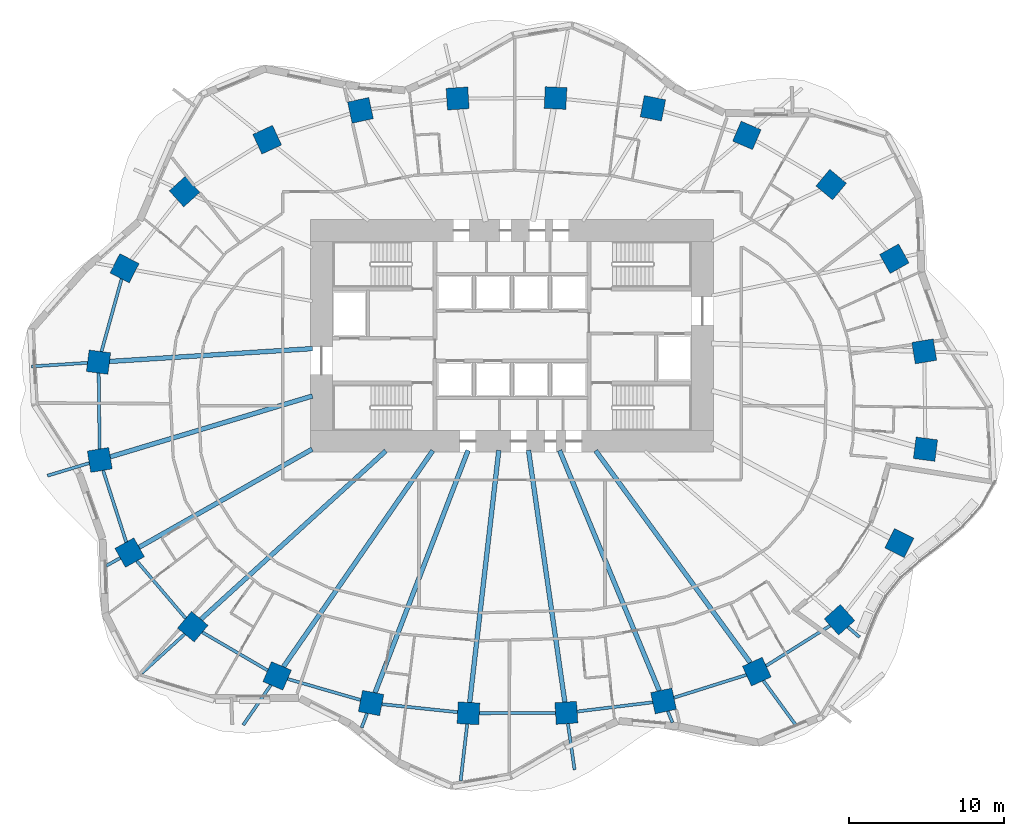
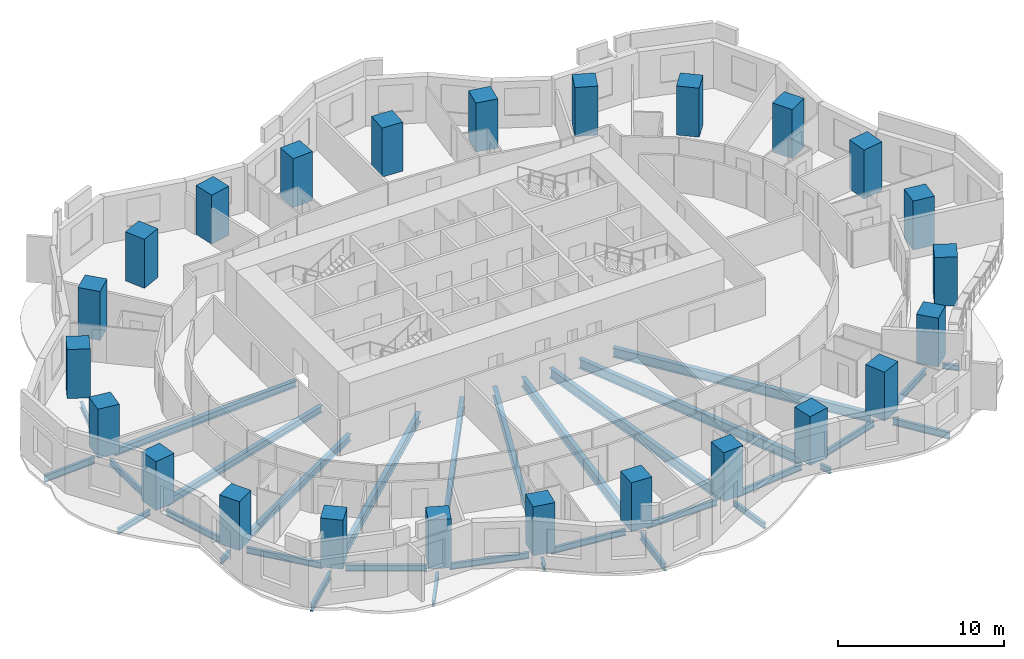
# One storey, part 1 of 14: 32 beams, 24 columns.
"""IFC4 building model written with IfcOpenShell, lengths in metres."""

from ifc_helpers import new_model, si_unit, direction, frame, origin, origin_2d, place, context, subcontext, project, spatial, rectangle, i_section, extrude, material, material_profile, profile_set, type_object, element, save


model = new_model("IFC4")

# Units and contexts
model_context = context("Model", 3, precision=1e-05, world=origin(), true_north=direction((0.0, 1.0)))
body_context = subcontext(model_context, "Body", "Model", "MODEL_VIEW")
ifc_project = project(units=[si_unit("LENGTHUNIT", "METRE"), si_unit("AREAUNIT", "SQUARE_METRE"), si_unit("VOLUMEUNIT", "CUBIC_METRE"), si_unit("PLANEANGLEUNIT", "RADIAN"), si_unit("MASSUNIT", "GRAM", prefix="KILO")], contexts=[model_context])

# Site, building, storey
site_placement = place(None, origin())
site = spatial("IfcSite", under=ifc_project, at=site_placement, CompositionType="ELEMENT")
building_placement = place(site_placement, origin())
building = spatial("IfcBuilding", under=site, at=building_placement, Name="Rubra Terraces Tower", CompositionType="ELEMENT")
storey_placement = place(building_placement, frame((0.0, 0.0, 62.699951171875)))
storey = spatial("IfcBuildingStorey", under=building, at=storey_placement, Name="L13", CompositionType="ELEMENT", Elevation=62.699951171875)

# Columns
ifc_material_1 = material(Name="Concrete C60", Category="concrete")
ifc_material_profile_1 = material_profile(ifc_material_1, rectangle(XDim=1.39990234375, YDim=1.39990234375, at=origin_2d()), Name="RC 1400x1400")
ifc_profile_set_1 = profile_set([ifc_material_profile_1], Name="Concrete C60")
column_type = type_object("IfcColumnType", Name="RING COLUMN RC 1400x1400 C60", PredefinedType="COLUMN", material=ifc_profile_set_1)
for number, where, z_axis, x_axis, name in (
    (1, (26.60498046875, 3.5029296875, 0.0), (0.0, 0.0, 1.0), (-0.161234051287, 0.986916197408, 0.0), "column-L13-ring-01"),
    (2, (24.676025390625, 9.48291015625, 0.0), (0.0, 0.0, 1.0), (-0.487226597714, 0.873275582208, 0.0), "column-L13-ring-02"),
    (3, (20.60009765625, 14.26611328125, 0.0), (0.0, 0.0, 1.0), (-0.767209547574, 0.641396531104, 0.0), "column-L13-ring-03"),
    (4, (15.156982421875, 17.44091796875, 0.0), (0.0, 0.0, 1.0), (-0.919293738002, 0.393572132232, 0.0), "column-L13-ring-04"),
    (5, (9.093994140625, 19.19189453125, 0.0), (0.0, 0.0, 1.0), (-0.981430410798, 0.191818530806, 0.0), "column-L13-ring-05"),
    (6, (2.81103515625, 19.85400390625, 0.0), (0.0, 0.0, 1.0), (-0.99874501614, 0.050083857035, 0.0), "column-L13-ring-06"),
    (7, (-3.509033203125, 19.823974609375, 0.0), (0.0, 0.0, 1.0), (-0.9980076013, -0.063093801177, 0.0), "column-L13-ring-07"),
    (8, (-9.780029296875, 19.05810546875, 0.0), (0.0, 0.0, 1.0), (-0.977386186482, -0.211462153764, 0.0), "column-L13-ring-08"),
    (9, (-15.799072265625, 17.1650390625, 0.0), (0.0, 0.0, 1.0), (-0.907952363445, -0.419073389413, 0.0), "column-L13-ring-09"),
    (10, (-21.135009765625, 13.81689453125, 0.0), (0.0, 0.0, 1.0), (-0.742675944539, -0.66965098477, 0.0), "column-L13-ring-10"),
    (11, (-25.0029296875, 8.865966796875, 0.0), (0.0, 0.0, 1.0), (-0.450098906028, -0.892978709036, 0.0), "column-L13-ring-11"),
    (12, (-26.68408203125, 2.80810546875, 0.0), (0.0, 0.0, 1.0), (-0.128444510405, -0.991716697322, 0.0), "column-L13-ring-12"),
    (13, (-26.60498046875, -3.5029296875, 0.0), (0.0, 0.0, 1.0), (0.161234051287, -0.986916197408, 0.0), "column-L13-ring-13"),
    (14, (-24.676025390625, -9.48291015625, 0.0), (0.0, 0.0, 1.0), (0.487226597714, -0.873275582208, 0.0), "column-L13-ring-14"),
    (15, (-20.60009765625, -14.26611328125, 0.0), (0.0, 0.0, 1.0), (0.767209547574, -0.641396531104, 0.0), "column-L13-ring-15"),
    (16, (-15.156982421875, -17.44091796875, 0.0), (0.0, 0.0, 1.0), (0.919293738002, -0.393572132232, 0.0), "column-L13-ring-16"),
    (17, (-9.093994140625, -19.19189453125, 0.0), (0.0, 0.0, 1.0), (0.981430410798, -0.191818530806, 0.0), "column-L13-ring-17"),
    (18, (-2.81103515625, -19.85400390625, 0.0), (0.0, 0.0, 1.0), (0.99874501614, -0.050083857035, 0.0), "column-L13-ring-18"),
    (19, (3.509033203125, -19.823974609375, 0.0), (0.0, 0.0, 1.0), (0.9980076013, 0.063093801177, 0.0), "column-L13-ring-19"),
    (20, (9.780029296875, -19.05810546875, 0.0), (0.0, 0.0, 1.0), (0.977386186482, 0.211462153764, 0.0), "column-L13-ring-20"),
    (21, (15.799072265625, -17.1650390625, 0.0), (0.0, 0.0, 1.0), (0.907952363445, 0.419073389413, 0.0), "column-L13-ring-21"),
    (22, (21.135009765625, -13.81689453125, 0.0), (0.0, 0.0, 1.0), (0.742675944539, 0.66965098477, 0.0), "column-L13-ring-22"),
    (23, (25.0029296875, -8.865966796875, 0.0), (0.0, 0.0, 1.0), (0.450098906028, 0.892978709036, 0.0), "column-L13-ring-23"),
    (24, (26.68408203125, -2.80810546875, 0.0), (0.0, 0.0, 1.0), (0.128444510405, 0.991716697322, 0.0), "column-L13-ring-24"),
):
    element("IfcColumn", number, at=place(storey_placement, frame(where, z_axis=z_axis, x_axis=x_axis)), inside=storey, type_object=column_type, Name=name, PredefinedType="COLUMN", context=body_context, shape_type="SweptSolid", body=[
        extrude(rectangle(XDim=1.39990234375, YDim=1.39990234375, at=origin_2d()), origin(), (0.0, 0.0, 1.0), 3.60009765625),
    ])

# Beams
ifc_material_2 = material(Name="Steel Q355B", Category="steel")
ifc_material_profile_2 = material_profile(ifc_material_2, i_section(OverallWidth=0.199951171875, OverallDepth=0.39990234375, WebThickness=0.008056640625, FlangeThickness=0.012939453125, at=origin_2d()), Name="HN 400x200x8x13")
ifc_profile_set_2 = profile_set([ifc_material_profile_2], Name="Steel Q355B")
beam_type_1 = type_object("IfcBeamType", Name="CANTILEVER BEAM HN 400x200x8x13", PredefinedType="BEAM", material=ifc_profile_set_2)
beam_1_placement = place(storey_placement, frame((-27.281005859375, -3.7060546875, -0.39990234375), z_axis=(-0.95758002383, -0.288167482486, 0.0), x_axis=(0.288167482486, -0.95758002383, 0.0)))
element("IfcBeam", 25, at=beam_1_placement, inside=storey, type_object=beam_type_1, Name="beam-L13-cant-13", PredefinedType="BEAM", context=body_context, shape_type="SweptSolid", body=[
    extrude(i_section(OverallWidth=0.199951171875, OverallDepth=0.39990234375, WebThickness=0.008056640625, FlangeThickness=0.012939453125, at=origin_2d()), origin(), (0.0, 0.0, 1.0), 2.814453125),
])
beam_2_placement = place(storey_placement, frame((-15.56298828125, -18.029052734375, -0.39990234375), z_axis=(-0.568561353485, -0.822640861691, 0.0), x_axis=(0.822640861691, -0.568561353485, 0.0)))
element("IfcBeam", 26, at=beam_2_placement, inside=storey, type_object=beam_type_1, Name="beam-L13-cant-16", PredefinedType="BEAM", context=body_context, shape_type="SweptSolid", body=[
    extrude(i_section(OverallWidth=0.199951171875, OverallDepth=0.39990234375, WebThickness=0.008056640625, FlangeThickness=0.012939453125, at=origin_2d()), origin(), (0.0, 0.0, 1.0), 3.132568359375),
])
beam_3_placement = place(storey_placement, frame((3.60888671875, -20.51904296875, -0.39990234375), z_axis=(0.143054217622, -0.989714853289, 0.0), x_axis=(0.989714853289, 0.143054217622, 0.0)))
element("IfcBeam", 27, at=beam_3_placement, inside=storey, type_object=beam_type_1, Name="beam-L13-cant-19", PredefinedType="BEAM", context=body_context, shape_type="SweptSolid", body=[
    extrude(i_section(OverallWidth=0.199951171875, OverallDepth=0.39990234375, WebThickness=0.008056640625, FlangeThickness=0.012939453125, at=origin_2d()), origin(), (0.0, 0.0, 1.0), 3.013916015625),
])
ifc_material_profile_3 = material_profile(ifc_material_2, i_section(OverallWidth=0.198974609375, OverallDepth=0.49609375, WebThickness=0.009033203125, FlangeThickness=0.013916015625, at=origin_2d()), Name="HN 496x199x9x14")
ifc_profile_set_3 = profile_set([ifc_material_profile_3], Name="Steel Q355B")
beam_type_2 = type_object("IfcBeamType", Name="CANTILEVER BEAM HN 496x199x9x14", PredefinedType="BEAM", material=ifc_profile_set_3)
beam_4_placement = place(storey_placement, frame((-27.39599609375, 2.762939453125, -0.447998046875), z_axis=(-0.997998430051, -0.063238703465, 0.0), x_axis=(0.063238703465, -0.997998430051, 0.0)))
element("IfcBeam", 28, at=beam_4_placement, inside=storey, type_object=beam_type_2, Name="beam-L13-cant-12", PredefinedType="BEAM", context=body_context, shape_type="SweptSolid", body=[
    extrude(i_section(OverallWidth=0.198974609375, OverallDepth=0.49609375, WebThickness=0.009033203125, FlangeThickness=0.013916015625, at=origin_2d()), origin(), (0.0, 0.0, 1.0), 3.621337890625),
])
beam_5_placement = place(storey_placement, frame((-21.1220703125, -14.741943359375, -0.447998046875), z_axis=(-0.739230300797, -0.673452717259, 0.0), x_axis=(0.673452717259, -0.739230300797, 0.0)))
element("IfcBeam", 29, at=beam_5_placement, inside=storey, type_object=beam_type_2, Name="beam-L13-cant-15", PredefinedType="BEAM", context=body_context, shape_type="SweptSolid", body=[
    extrude(i_section(OverallWidth=0.198974609375, OverallDepth=0.49609375, WebThickness=0.009033203125, FlangeThickness=0.013916015625, at=origin_2d()), origin(), (0.0, 0.0, 1.0), 3.737548828125),
])
beam_6_placement = place(storey_placement, frame((-2.89111328125, -20.551025390625, -0.447998046875), z_axis=(-0.114760227617, -0.99339322031, 0.0), x_axis=(0.99339322031, -0.114760227617, 0.0)))
element("IfcBeam", 30, at=beam_6_placement, inside=storey, type_object=beam_type_2, Name="beam-L13-cant-18", PredefinedType="BEAM", context=body_context, shape_type="SweptSolid", body=[
    extrude(i_section(OverallWidth=0.198974609375, OverallDepth=0.49609375, WebThickness=0.009033203125, FlangeThickness=0.013916015625, at=origin_2d()), origin(), (0.0, 0.0, 1.0), 3.676025390625),
])
beam_7_placement = place(storey_placement, frame((16.219970703125, -17.741943359375, -0.447998046875), z_axis=(0.589270437055, -0.807935858848, 0.0), x_axis=(0.807935858848, 0.589270437055, 0.0)))
element("IfcBeam", 31, at=beam_7_placement, inside=storey, type_object=beam_type_2, Name="beam-L13-cant-21", PredefinedType="BEAM", context=body_context, shape_type="SweptSolid", body=[
    extrude(i_section(OverallWidth=0.198974609375, OverallDepth=0.49609375, WebThickness=0.009033203125, FlangeThickness=0.013916015625, at=origin_2d()), origin(), (0.0, 0.0, 1.0), 3.750244140625),
])
ifc_material_profile_4 = material_profile(ifc_material_2, i_section(OverallWidth=0.199951171875, OverallDepth=0.39990234375, WebThickness=0.008056640625, FlangeThickness=0.012939453125, at=origin_2d()), Name="HN 400x200x8x13")
ifc_profile_set_4 = profile_set([ifc_material_profile_4], Name="Steel Q355B")
beam_type_3 = type_object("IfcBeamType", Name="CANTILEVER STUB HN 400x200x8x13", PredefinedType="BEAM", material=ifc_profile_set_4)
beam_8_placement = place(storey_placement, frame((-25.284912109375, -9.827880859375, -0.39990234375), z_axis=(-0.869831937936, -0.493348152674, 0.0), x_axis=(0.493348152674, -0.869831937936, 0.0)))
element("IfcBeam", 32, at=beam_8_placement, inside=storey, type_object=beam_type_3, Name="beam-L13-cant-14", PredefinedType="BEAM", context=body_context, shape_type="SweptSolid", body=[
    extrude(i_section(OverallWidth=0.199951171875, OverallDepth=0.39990234375, WebThickness=0.008056640625, FlangeThickness=0.012939453125, at=origin_2d()), origin(), (0.0, 0.0, 1.0), 1.02783203125),
])
beam_9_placement = place(storey_placement, frame((-9.34912109375, -19.85498046875, -0.39990234375), z_axis=(-0.357321473946, -0.933981458198, 0.0), x_axis=(0.933981458198, -0.357321473946, 0.0)))
element("IfcBeam", 33, at=beam_9_placement, inside=storey, type_object=beam_type_3, Name="beam-L13-cant-17", PredefinedType="BEAM", context=body_context, shape_type="SweptSolid", body=[
    extrude(i_section(OverallWidth=0.199951171875, OverallDepth=0.39990234375, WebThickness=0.008056640625, FlangeThickness=0.012939453125, at=origin_2d()), origin(), (0.0, 0.0, 1.0), 0.9873046875),
])
beam_10_placement = place(storey_placement, frame((10.052978515625, -19.715087890625, -0.39990234375), z_axis=(0.382905854182, -0.923787371008, 0.0), x_axis=(0.923787371008, 0.382905854182, 0.0)))
element("IfcBeam", 34, at=beam_10_placement, inside=storey, type_object=beam_type_3, Name="beam-L13-cant-20", PredefinedType="BEAM", context=body_context, shape_type="SweptSolid", body=[
    extrude(i_section(OverallWidth=0.199951171875, OverallDepth=0.39990234375, WebThickness=0.008056640625, FlangeThickness=0.012939453125, at=origin_2d()), origin(), (0.0, 0.0, 1.0), 0.791259765625),
])
beam_11_placement = place(storey_placement, frame((21.66796875, -14.279052734375, -0.39990234375), z_axis=(0.755624925322, -0.65500455894, 0.0), x_axis=(0.65500455894, 0.755624925322, 0.0)))
element("IfcBeam", 35, at=beam_11_placement, inside=storey, type_object=beam_type_3, Name="beam-L13-cant-22", PredefinedType="BEAM", context=body_context, shape_type="SweptSolid", body=[
    extrude(i_section(OverallWidth=0.199951171875, OverallDepth=0.39990234375, WebThickness=0.008056640625, FlangeThickness=0.012939453125, at=origin_2d()), origin(), (0.0, 0.0, 1.0), 1.00439453125),
])
ifc_material_profile_5 = material_profile(ifc_material_2, i_section(OverallWidth=0.300048828125, OverallDepth=0.48193359375, WebThickness=0.010986328125, FlangeThickness=0.014892578125, at=origin_2d()), Name="HM 482x300x11x15")
ifc_profile_set_5 = profile_set([ifc_material_profile_5], Name="Steel Q355B")
beam_type_4 = type_object("IfcBeamType", Name="FLOOR BEAM HM 482x300x11x15", PredefinedType="BEAM", material=ifc_profile_set_5)
beam_12_placement = place(storey_placement, frame((-25.971923828125, 2.85302734375, -0.44091796875), z_axis=(0.997996052936, 0.06327620662, 0.0), x_axis=(-0.06327620662, 0.997996052936, 0.0)))
element("IfcBeam", 36, at=beam_12_placement, inside=storey, type_object=beam_type_4, Name="beam-L13-floor-12", PredefinedType="BEAM", context=body_context, shape_type="SweptSolid", body=[
    extrude(i_section(OverallWidth=0.300048828125, OverallDepth=0.48193359375, WebThickness=0.010986328125, FlangeThickness=0.014892578125, at=origin_2d()), origin(), (0.0, 0.0, 1.0), 13.118408203125),
])
beam_13_placement = place(storey_placement, frame((-25.928955078125, -3.300048828125, -0.44091796875), z_axis=(0.957605991861, 0.288081176671, 0.0), x_axis=(-0.288081176671, 0.957605991861, 0.0)))
element("IfcBeam", 37, at=beam_13_placement, inside=storey, type_object=beam_type_4, Name="beam-L13-floor-13", PredefinedType="BEAM", context=body_context, shape_type="SweptSolid", body=[
    extrude(i_section(OverallWidth=0.300048828125, OverallDepth=0.48193359375, WebThickness=0.010986328125, FlangeThickness=0.014892578125, at=origin_2d()), origin(), (0.0, 0.0, 1.0), 13.621337890625),
])
beam_14_placement = place(storey_placement, frame((-24.06689453125, -9.137939453125, -0.44091796875), z_axis=(0.869992824144, 0.493064383157, 0.0), x_axis=(-0.493064383157, 0.869992824144, 0.0)))
element("IfcBeam", 38, at=beam_14_placement, inside=storey, type_object=beam_type_4, Name="beam-L13-floor-14", PredefinedType="BEAM", context=body_context, shape_type="SweptSolid", body=[
    extrude(i_section(OverallWidth=0.300048828125, OverallDepth=0.48193359375, WebThickness=0.010986328125, FlangeThickness=0.014892578125, at=origin_2d()), origin(), (0.0, 0.0, 1.0), 12.84033203125),
])
ifc_material_profile_6 = material_profile(ifc_material_2, i_section(OverallWidth=0.300048828125, OverallDepth=0.699951171875, WebThickness=0.012939453125, FlangeThickness=0.02392578125, at=origin_2d()), Name="HN 700x300x13x24")
ifc_profile_set_6 = profile_set([ifc_material_profile_6], Name="Steel Q355B")
beam_type_5 = type_object("IfcBeamType", Name="FLOOR BEAM HN 700x300x13x24", PredefinedType="BEAM", material=ifc_profile_set_6)
beam_15_placement = place(storey_placement, frame((-20.077880859375, -13.7900390625, -0.550048828125), z_axis=(0.739256734846, 0.673423700195, 0.0), x_axis=(-0.673423700195, 0.739256734846, 0.0)))
element("IfcBeam", 39, at=beam_15_placement, inside=storey, type_object=beam_type_5, Name="beam-L13-floor-15", PredefinedType="BEAM", context=body_context, shape_type="SweptSolid", body=[
    extrude(i_section(OverallWidth=0.300048828125, OverallDepth=0.699951171875, WebThickness=0.012939453125, FlangeThickness=0.02392578125, at=origin_2d()), origin(), (0.0, 0.0, 1.0), 16.14306640625),
])
beam_16_placement = place(storey_placement, frame((-14.7509765625, -16.85302734375, -0.550048828125), z_axis=(0.568362941886, 0.822777956858, 0.0), x_axis=(-0.822777956858, 0.568362941886, 0.0)))
element("IfcBeam", 40, at=beam_16_placement, inside=storey, type_object=beam_type_5, Name="beam-L13-floor-16", PredefinedType="BEAM", context=body_context, shape_type="SweptSolid", body=[
    extrude(i_section(OverallWidth=0.300048828125, OverallDepth=0.699951171875, WebThickness=0.012939453125, FlangeThickness=0.02392578125, at=origin_2d()), origin(), (0.0, 0.0, 1.0), 16.957275390625),
])
beam_17_placement = place(storey_placement, frame((-8.839111328125, -18.529052734375, -0.550048828125), z_axis=(0.358321803184, 0.933598139117, 0.0), x_axis=(-0.933598139117, 0.358321803184, 0.0)))
element("IfcBeam", 41, at=beam_17_placement, inside=storey, type_object=beam_type_5, Name="beam-L13-floor-17", PredefinedType="BEAM", context=body_context, shape_type="SweptSolid", body=[
    extrude(i_section(OverallWidth=0.300048828125, OverallDepth=0.699951171875, WebThickness=0.012939453125, FlangeThickness=0.02392578125, at=origin_2d()), origin(), (0.0, 0.0, 1.0), 16.753662109375),
])
beam_18_placement = place(storey_placement, frame((-2.73095703125, -19.156982421875, -0.550048828125), z_axis=(0.114679535872, 0.993402538779, 0.0), x_axis=(-0.993402538779, 0.114679535872, 0.0)))
element("IfcBeam", 42, at=beam_18_placement, inside=storey, type_object=beam_type_5, Name="beam-L13-floor-18", PredefinedType="BEAM", context=body_context, shape_type="SweptSolid", body=[
    extrude(i_section(OverallWidth=0.300048828125, OverallDepth=0.699951171875, WebThickness=0.012939453125, FlangeThickness=0.02392578125, at=origin_2d()), origin(), (0.0, 0.0, 1.0), 16.384033203125),
])
beam_19_placement = place(storey_placement, frame((3.408935546875, -19.12890625, -0.550048828125), z_axis=(-0.142787075711, 0.9897534294, 0.0), x_axis=(-0.9897534294, -0.142787075711, 0.0)))
element("IfcBeam", 43, at=beam_19_placement, inside=storey, type_object=beam_type_5, Name="beam-L13-floor-19", PredefinedType="BEAM", context=body_context, shape_type="SweptSolid", body=[
    extrude(i_section(OverallWidth=0.300048828125, OverallDepth=0.699951171875, WebThickness=0.012939453125, FlangeThickness=0.02392578125, at=origin_2d()), origin(), (0.0, 0.0, 1.0), 16.416015625),
])
beam_20_placement = place(storey_placement, frame((9.507080078125, -18.40087890625, -0.550048828125), z_axis=(-0.383379543301, 0.923590886582, 0.0), x_axis=(-0.923590886582, -0.383379543301, 0.0)))
element("IfcBeam", 44, at=beam_20_placement, inside=storey, type_object=beam_type_5, Name="beam-L13-floor-20", PredefinedType="BEAM", context=body_context, shape_type="SweptSolid", body=[
    extrude(i_section(OverallWidth=0.300048828125, OverallDepth=0.699951171875, WebThickness=0.012939453125, FlangeThickness=0.02392578125, at=origin_2d()), origin(), (0.0, 0.0, 1.0), 16.795166015625),
])
beam_21_placement = place(storey_placement, frame((15.3779296875, -16.587890625, -0.550048828125), z_axis=(-0.58919117553, 0.807993662523, 0.0), x_axis=(-0.807993662523, -0.58919117553, 0.0)))
element("IfcBeam", 45, at=beam_21_placement, inside=storey, type_object=beam_type_5, Name="beam-L13-floor-21", PredefinedType="BEAM", context=body_context, shape_type="SweptSolid", body=[
    extrude(i_section(OverallWidth=0.300048828125, OverallDepth=0.699951171875, WebThickness=0.012939453125, FlangeThickness=0.02392578125, at=origin_2d()), origin(), (0.0, 0.0, 1.0), 16.936767578125),
])
ifc_material_profile_7 = material_profile(ifc_material_2, i_section(OverallWidth=0.198974609375, OverallDepth=0.446044921875, WebThickness=0.008056640625, FlangeThickness=0.011962890625, at=origin_2d()), Name="HN 446x199x8x12")
ifc_profile_set_7 = profile_set([ifc_material_profile_7], Name="Steel Q355B")
beam_type_6 = type_object("IfcBeamType", Name="SPANDREL BEAM HN 446x199x8x12", PredefinedType="SPANDREL", material=ifc_profile_set_7)
beam_22_placement = place(storey_placement, frame((-25.194091796875, 8.177978515625, -0.4228515625), z_axis=(-0.267364386726, -0.96359549849, 0.0), x_axis=(0.96359549849, -0.267364386726, 0.0)))
element("IfcBeam", 46, at=beam_22_placement, inside=storey, type_object=beam_type_6, Name="beam-L13-spandrel-11", PredefinedType="SPANDREL", context=body_context, shape_type="SweptSolid", body=[
    extrude(i_section(OverallWidth=0.198974609375, OverallDepth=0.446044921875, WebThickness=0.008056640625, FlangeThickness=0.011962890625, at=origin_2d()), origin(), (0.0, 0.0, 1.0), 4.8662109375),
])
beam_23_placement = place(storey_placement, frame((-26.675048828125, 2.10107421875, -0.4228515625), z_axis=(0.012465372298, -0.999922304228, 0.0), x_axis=(0.999922304228, 0.012465372298, 0.0)))
element("IfcBeam", 47, at=beam_23_placement, inside=storey, type_object=beam_type_6, Name="beam-L13-spandrel-12", PredefinedType="SPANDREL", context=body_context, shape_type="SweptSolid", body=[
    extrude(i_section(OverallWidth=0.198974609375, OverallDepth=0.446044921875, WebThickness=0.008056640625, FlangeThickness=0.011962890625, at=origin_2d()), origin(), (0.0, 0.0, 1.0), 4.896484375),
])
beam_24_placement = place(storey_placement, frame((-26.387939453125, -4.177001953125, -0.4228515625), z_axis=(0.30706880261, -0.951687317591, 0.0), x_axis=(0.951687317591, 0.30706880261, 0.0)))
element("IfcBeam", 48, at=beam_24_placement, inside=storey, type_object=beam_type_6, Name="beam-L13-spandrel-13", PredefinedType="SPANDREL", context=body_context, shape_type="SweptSolid", body=[
    extrude(i_section(OverallWidth=0.198974609375, OverallDepth=0.446044921875, WebThickness=0.008056640625, FlangeThickness=0.011962890625, at=origin_2d()), origin(), (0.0, 0.0, 1.0), 4.86181640625),
])
beam_25_placement = place(storey_placement, frame((-24.212890625, -10.02587890625, -0.4228515625), z_axis=(0.648447050824, -0.761259760054, 0.0), x_axis=(0.761259760054, 0.648447050824, 0.0)))
element("IfcBeam", 49, at=beam_25_placement, inside=storey, type_object=beam_type_6, Name="beam-L13-spandrel-14", PredefinedType="SPANDREL", context=body_context, shape_type="SweptSolid", body=[
    extrude(i_section(OverallWidth=0.198974609375, OverallDepth=0.446044921875, WebThickness=0.008056640625, FlangeThickness=0.011962890625, at=origin_2d()), origin(), (0.0, 0.0, 1.0), 4.860595703125),
])
beam_26_placement = place(storey_placement, frame((-19.987060546875, -14.6240234375, -0.4228515625), z_axis=(0.863806081452, -0.503824427402, 0.0), x_axis=(0.503824427402, 0.863806081452, 0.0)))
element("IfcBeam", 50, at=beam_26_placement, inside=storey, type_object=beam_type_6, Name="beam-L13-spandrel-15", PredefinedType="SPANDREL", context=body_context, shape_type="SweptSolid", body=[
    extrude(i_section(OverallWidth=0.198974609375, OverallDepth=0.446044921875, WebThickness=0.008056640625, FlangeThickness=0.011962890625, at=origin_2d()), origin(), (0.0, 0.0, 1.0), 4.886474609375),
])
beam_27_placement = place(storey_placement, frame((-14.47900390625, -17.636962890625, -0.4228515625), z_axis=(0.960743980202, -0.277436487337, 0.0), x_axis=(0.277436487337, 0.960743980202, 0.0)))
element("IfcBeam", 51, at=beam_27_placement, inside=storey, type_object=beam_type_6, Name="beam-L13-spandrel-16", PredefinedType="SPANDREL", context=body_context, shape_type="SweptSolid", body=[
    extrude(i_section(OverallWidth=0.198974609375, OverallDepth=0.446044921875, WebThickness=0.008056640625, FlangeThickness=0.011962890625, at=origin_2d()), origin(), (0.0, 0.0, 1.0), 4.90234375),
])
beam_28_placement = place(storey_placement, frame((-8.39501953125, -19.26611328125, -0.4228515625), z_axis=(0.994495375694, -0.104780473964, 0.0), x_axis=(0.104780473964, 0.994495375694, 0.0)))
element("IfcBeam", 52, at=beam_28_placement, inside=storey, type_object=beam_type_6, Name="beam-L13-spandrel-17", PredefinedType="SPANDREL", context=body_context, shape_type="SweptSolid", body=[
    extrude(i_section(OverallWidth=0.198974609375, OverallDepth=0.446044921875, WebThickness=0.008056640625, FlangeThickness=0.011962890625, at=origin_2d()), origin(), (0.0, 0.0, 1.0), 4.9140625),
])
beam_29_placement = place(storey_placement, frame((-2.110107421875, -19.85107421875, -0.4228515625), z_axis=(0.999987924698, 0.004914311469, 0.0), x_axis=(-0.004914311469, 0.999987924698, 0.0)))
element("IfcBeam", 53, at=beam_29_placement, inside=storey, type_object=beam_type_6, Name="beam-L13-spandrel-18", PredefinedType="SPANDREL", context=body_context, shape_type="SweptSolid", body=[
    extrude(i_section(OverallWidth=0.198974609375, OverallDepth=0.446044921875, WebThickness=0.008056640625, FlangeThickness=0.011962890625, at=origin_2d()), origin(), (0.0, 0.0, 1.0), 4.918212890625),
])
beam_30_placement = place(storey_placement, frame((4.205078125, -19.739013671875, -0.4228515625), z_axis=(0.992616576014, 0.12129440639, 0.0), x_axis=(-0.12129440639, 0.992616576014, 0.0)))
element("IfcBeam", 54, at=beam_30_placement, inside=storey, type_object=beam_type_6, Name="beam-L13-spandrel-19", PredefinedType="SPANDREL", context=body_context, shape_type="SweptSolid", body=[
    extrude(i_section(OverallWidth=0.198974609375, OverallDepth=0.446044921875, WebThickness=0.008056640625, FlangeThickness=0.011962890625, at=origin_2d()), origin(), (0.0, 0.0, 1.0), 4.913330078125),
])
beam_31_placement = place(storey_placement, frame((10.450927734375, -18.846923828125, -0.4228515625), z_axis=(0.953954624663, 0.299950952796, 0.0), x_axis=(-0.299950952796, 0.953954624663, 0.0)))
element("IfcBeam", 55, at=beam_31_placement, inside=storey, type_object=beam_type_6, Name="beam-L13-spandrel-20", PredefinedType="SPANDREL", context=body_context, shape_type="SweptSolid", body=[
    extrude(i_section(OverallWidth=0.198974609375, OverallDepth=0.446044921875, WebThickness=0.008056640625, FlangeThickness=0.011962890625, at=origin_2d()), origin(), (0.0, 0.0, 1.0), 4.900634765625),
])
beam_32_placement = place(storey_placement, frame((16.39697265625, -16.7900390625, -0.4228515625), z_axis=(0.847078460197, 0.531467856291, 0.0), x_axis=(-0.531467856291, 0.847078460197, 0.0)))
element("IfcBeam", 56, at=beam_32_placement, inside=storey, type_object=beam_type_6, Name="beam-L13-spandrel-21", PredefinedType="SPANDREL", context=body_context, shape_type="SweptSolid", body=[
    extrude(i_section(OverallWidth=0.198974609375, OverallDepth=0.446044921875, WebThickness=0.008056640625, FlangeThickness=0.011962890625, at=origin_2d()), origin(), (0.0, 0.0, 1.0), 4.882568359375),
])

save(model, "model.ifc")
